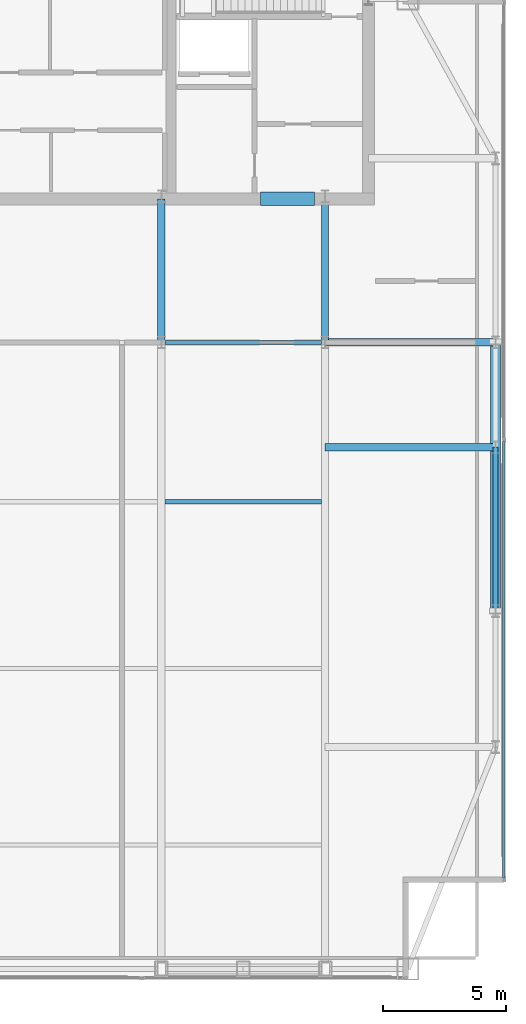
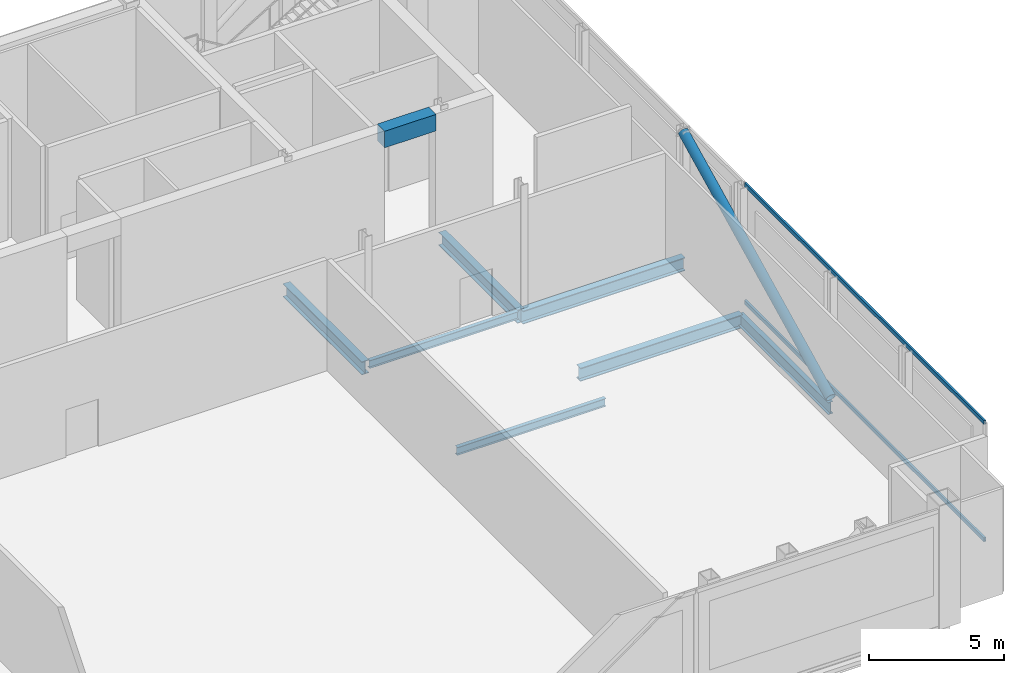
# One storey, part 13 of 22: 8 beams, 3 members, 1 element without a shape of its own.
"""IFC4 building model written with IfcOpenShell, lengths in metres."""

import ifcopenshell
import ifcopenshell.guid

model = None  # the IFC model being written
_history = None  # IfcOwnerHistory: only IFC2X3 demands one
_inside = {}  # id of a spatial element -> (the spatial element, [elements in it])
_under = {}  # id of a project, library or spatial element -> (it, [spatial elements below it])
_declared = {}  # id of a project -> (the project, [libraries it declares])
_typed = {}  # id of a type object -> (the type object, [elements of that type])
_made_of = {}  # id of a material, layer set ... -> (it, [elements and type objects made of it])


def new_model(schema):
    """Start an empty IFC model of exactly this schema.

    Asked for "IFC4X3", IfcOpenShell would pick the latest addendum, in which some entities
    have other attributes; the version numbers below select the first issue.
    IFC2X3 requires an IfcOwnerHistory on every rooted entity: one is made here for all.
    """
    global model, _history
    if schema == "IFC4X3":
        model = ifcopenshell.file(schema_version=(4, 3, 0, 0))
    else:
        model = ifcopenshell.file(schema=schema)
    _inside.clear()
    _under.clear()
    _declared.clear()
    _typed.clear()
    _made_of.clear()
    _history = None
    if model.schema == "IFC2X3":
        org = make("IfcOrganization", Name="unknown")
        user = make(
            "IfcPersonAndOrganization",
            ThePerson=make("IfcPerson", FamilyName="unknown"),
            TheOrganization=org,
        )
        app = make(
            "IfcApplication",
            ApplicationDeveloper=org,
            Version="unknown",
            ApplicationFullName="unknown",
            ApplicationIdentifier="unknown",
        )
        _history = make(
            "IfcOwnerHistory",
            OwningUser=user,
            OwningApplication=app,
            ChangeAction="ADDED",
            CreationDate=0,
        )
    return model


def make(cls, **values):
    """One entity of the class cls with the attributes given. An attribute that is None is left unset."""
    return model.create_entity(
        cls, **{name: value for name, value in values.items() if value is not None}
    )


def rooted(cls, **values):
    """An entity with a GlobalId (a new one), such as an element, a storey or a relation."""
    return make(cls, GlobalId=ifcopenshell.guid.new(), OwnerHistory=_history, **values)


def si_unit(unit_type, name, prefix=None):
    """IfcSIUnit, for example si_unit("LENGTHUNIT", "METRE", prefix="MILLI")."""
    return make("IfcSIUnit", UnitType=unit_type, Prefix=prefix, Name=name)


def assignment(units):
    """IfcUnitAssignment: the units of a project."""
    return None if units is None else make("IfcUnitAssignment", Units=units)


def point(xyz):
    """IfcCartesianPoint."""
    return None if xyz is None else make("IfcCartesianPoint", Coordinates=xyz)


def direction(xyz):
    """IfcDirection."""
    return None if xyz is None else make("IfcDirection", DirectionRatios=xyz)


def frame(location, z_axis=None, x_axis=None):
    """IfcAxis2Placement3D, a coordinate frame: its origin and axes. An axis left out is left unset."""
    return make(
        "IfcAxis2Placement3D",
        Location=point(location),
        Axis=direction(z_axis),
        RefDirection=direction(x_axis),
    )


def frame_2d(location, x_axis=None):
    """IfcAxis2Placement2D, a coordinate frame in the plane: its origin and x axis."""
    return make(
        "IfcAxis2Placement2D", Location=point(location), RefDirection=direction(x_axis)
    )


def origin():
    """The frame at (0, 0, 0) with its axes left unset."""
    return frame((0.0, 0.0, 0.0))


def origin_2d():
    """The frame at (0, 0) in the plane with its x axis left unset."""
    return frame_2d((0.0, 0.0))


def place(relative_to, where):
    """IfcLocalPlacement: puts the frame where relative to a parent placement (None: the world)."""
    return make(
        "IfcLocalPlacement", PlacementRelTo=relative_to, RelativePlacement=where
    )


def context(
    kind, dimensions, precision=None, world=None, true_north=None, identifier=None
):
    """IfcGeometricRepresentationContext, for example the 3D "Model" context."""
    return make(
        "IfcGeometricRepresentationContext",
        ContextIdentifier=identifier,
        ContextType=kind,
        CoordinateSpaceDimension=dimensions,
        Precision=precision,
        WorldCoordinateSystem=world,
        TrueNorth=true_north,
    )


def subcontext(parent, identifier, kind, view, scale=None):
    """IfcGeometricRepresentationSubContext, for example "Body" below "Model"."""
    return make(
        "IfcGeometricRepresentationSubContext",
        ContextIdentifier=identifier,
        ContextType=kind,
        ParentContext=parent,
        TargetScale=scale,
        TargetView=view,
    )


def project(units=None, contexts=None):
    """IfcProject with its units and contexts."""
    return rooted(
        "IfcProject",
        Name="project",
        RepresentationContexts=contexts,
        UnitsInContext=assignment(units),
    )


def spatial(cls, under=None, at=None, **own):
    """A site, building, storey or space (cls), placed at a placement, below another one or the project."""
    s = rooted(cls, ObjectPlacement=at, **own)
    if under is not None:
        _under.setdefault(under.id(), (under, []))[1].append(s)
    return s


def profile(cls, at=None, kind="AREA", **sizes):
    """A parametric profile (cls). Its sizes go by their IFC names, for example OverallWidth=200.0."""
    return make(cls, ProfileType=kind, Position=at, **sizes)


def rectangle(**sizes):
    """IfcRectangleProfileDef."""
    return profile("IfcRectangleProfileDef", **sizes)


def hollow_rectangle(**sizes):
    """IfcRectangleHollowProfileDef."""
    return profile("IfcRectangleHollowProfileDef", **sizes)


def hollow_circle(**sizes):
    """IfcCircleHollowProfileDef."""
    return profile("IfcCircleHollowProfileDef", **sizes)


def i_section(**sizes):
    """IfcIShapeProfileDef."""
    return profile("IfcIShapeProfileDef", **sizes)


def extrude(swept, where, along, depth):
    """IfcExtrudedAreaSolid: the profile swept, set in the frame where, extruded along a direction by depth."""
    return make(
        "IfcExtrudedAreaSolid",
        SweptArea=swept,
        Position=where,
        ExtrudedDirection=direction(along),
        Depth=depth,
    )


def shape(context_of_items, identifier, shape_type, items):
    """IfcShapeRepresentation: the items that make up one representation, for example the "Body"."""
    return make(
        "IfcShapeRepresentation",
        ContextOfItems=context_of_items,
        RepresentationIdentifier=identifier,
        RepresentationType=shape_type,
        Items=items,
    )


def material(Name=None, Category=None):
    """IfcMaterial."""
    return make("IfcMaterial", Name=Name, Category=Category)


def material_profile(
    of_material, cross_section, Name=None, Category=None, Priority=None
):
    """IfcMaterialProfile: a cross section and its material."""
    return make(
        "IfcMaterialProfile",
        Name=Name,
        Material=of_material,
        Profile=cross_section,
        Priority=Priority,
        Category=Category,
    )


def profile_set(profiles, Name=None, composite=None):
    """IfcMaterialProfileSet."""
    return make(
        "IfcMaterialProfileSet",
        Name=Name,
        MaterialProfiles=profiles,
        CompositeProfile=composite,
    )


def made_of(thing, what):
    """Note that an element or type object is made of a material, layer set ...; save() writes the relation."""
    if what is not None:
        _made_of.setdefault(what.id(), (what, []))[1].append(thing)
    return thing


def type_object(cls, material=None, **own):
    """A type object (cls), such as IfcWallType, which elements share."""
    return made_of(rooted(cls, **own), material)


def element(
    cls,
    number,
    at=None,
    inside=None,
    cuts=None,
    type_object=None,
    material=None,
    context=None,
    identifier="Body",
    shape_type=None,
    held_by="IfcProductDefinitionShape",
    body=None,
    shapes=None,
    **own,
):
    """One element of the class cls, such as IfcWall. Its Tag is "e" and its number.

    at: its placement. inside: the storey or other place that contains it. cuts: it is an
    opening in that element (IfcRelVoidsElement). A single representation is given by context,
    identifier, shape_type and body (its items); several are given by shapes. held_by: the class
    of the entity that holds the representations. save() writes the other relations.
    """
    e = rooted(cls, Tag="e%d" % number, ObjectPlacement=at, **own)
    if body is not None:
        shapes = [shape(context, identifier, shape_type, body)]
    if shapes is not None:
        e.Representation = make(held_by, Representations=shapes)
    if inside is not None:
        _inside.setdefault(inside.id(), (inside, []))[1].append(e)
    if cuts is not None:
        rooted(
            "IfcRelVoidsElement", RelatingBuildingElement=cuts, RelatedOpeningElement=e
        )
    if type_object is not None:
        _typed.setdefault(type_object.id(), (type_object, []))[1].append(e)
    return made_of(e, material)


def aggregate(whole, parts):
    """IfcRelAggregates: a whole, such as a stair, and the parts it consists of."""
    return rooted("IfcRelAggregates", RelatingObject=whole, RelatedObjects=parts)


def save(model, path):
    """Write the relations noted so far, then the file.

    IfcRelAggregates (storeys below a building ...), IfcRelContainedInSpatialStructure (elements
    in a storey), IfcRelDefinesByType, IfcRelAssociatesMaterial and IfcRelDeclares: one each for
    every whole, place, type object, material and project.
    """
    for whole, parts in _under.values():
        aggregate(whole, parts)
    for where, things in _inside.values():
        rooted(
            "IfcRelContainedInSpatialStructure",
            RelatedElements=things,
            RelatingStructure=where,
        )
    for kind, things in _typed.values():
        rooted("IfcRelDefinesByType", RelatedObjects=things, RelatingType=kind)
    for what, things in _made_of.values():
        rooted("IfcRelAssociatesMaterial", RelatedObjects=things, RelatingMaterial=what)
    for by, libraries in _declared.values():
        rooted("IfcRelDeclares", RelatingContext=by, RelatedDefinitions=libraries)
    model.write(path)


model = new_model("IFC4")

# Units and contexts
model_context = context("Model", 3, precision=1e-05, world=origin(), true_north=direction((0.0, 1.0)))
body_context = subcontext(model_context, "Body", "Model", "MODEL_VIEW")
ifc_project = project(units=[si_unit("LENGTHUNIT", "METRE"), si_unit("AREAUNIT", "SQUARE_METRE"), si_unit("VOLUMEUNIT", "CUBIC_METRE"), si_unit("PLANEANGLEUNIT", "RADIAN"), si_unit("MASSUNIT", "GRAM", prefix="KILO")], contexts=[model_context])

# Site, building, storey
site_placement = place(None, origin())
site = spatial("IfcSite", under=ifc_project, at=site_placement, CompositionType="ELEMENT")
building_placement = place(site_placement, origin())
building = spatial("IfcBuilding", under=site, at=building_placement, Name="Khoronbel Lancet Exchange", CompositionType="ELEMENT")
storey_placement = place(building_placement, frame((0.0, 0.0, 361.800048828125)))
storey = spatial("IfcBuildingStorey", under=building, at=storey_placement, Name="L93", CompositionType="ELEMENT", Elevation=361.800048828125)

# Beams
ifc_material_1 = material(Name="Steel S355", Category="steel")
ifc_material_profile_1 = material_profile(ifc_material_1, i_section(OverallWidth=0.300048828125, OverallDepth=0.60009765625, WebThickness=0.015380859375, FlangeThickness=0.030029296875, at=origin_2d()), Name="HEB 600")
ifc_profile_set_1 = profile_set([ifc_material_profile_1], Name="Steel S355")
beam_type_1 = type_object("IfcBeamType", Name="BM-BG5", PredefinedType="BEAM", material=ifc_profile_set_1)
for number, where, z_axis, x_axis, name in (
    (1, (48.0, 35.699951171875, -0.5), (0.0, 1.0, 0.0), (-1.0, 0.0, 0.0), "Level L93 spine tie girder GN5"),
    (2, (54.675048828125, 35.699951171875, -0.5), (0.0, 1.0, 0.0), (-1.0, 0.0, 0.0), "Level L93 spine tie girder GN6"),
):
    element("IfcBeam", number, at=place(storey_placement, frame(where, z_axis=z_axis, x_axis=x_axis)), inside=storey, type_object=beam_type_1, Name=name, PredefinedType="BEAM", context=body_context, shape_type="SweptSolid", body=[
        extrude(i_section(OverallWidth=0.300048828125, OverallDepth=0.60009765625, WebThickness=0.015380859375, FlangeThickness=0.030029296875, at=origin_2d()), origin(), (0.0, 0.0, 1.0), 5.85009765625),
    ])
for number, where, z_axis, x_axis, name in (
    (3, (54.675048828125, 31.425048828125, -0.5), (1.0, 0.0, 0.0), (0.0, 1.0, 0.0), "Level L93 east lens tie girder LG2E"),
    (4, (54.675048828125, 35.699951171875, -0.5), (1.0, 0.0, 0.0), (0.0, 1.0, 0.0), "Level L93 east lens tie girder LG4E"),
):
    element("IfcBeam", number, at=place(storey_placement, frame(where, z_axis=z_axis, x_axis=x_axis)), inside=storey, type_object=beam_type_1, Name=name, PredefinedType="BEAM", context=body_context, shape_type="SweptSolid", body=[
        extrude(i_section(OverallWidth=0.300048828125, OverallDepth=0.60009765625, WebThickness=0.015380859375, FlangeThickness=0.030029296875, at=origin_2d()), origin(), (0.0, 0.0, 1.0), 6.954833984375),
    ])
ifc_material_profile_2 = material_profile(ifc_material_1, i_section(OverallWidth=0.169921875, OverallDepth=0.360107421875, WebThickness=0.008056640625, FlangeThickness=0.0126953125, at=origin_2d()), Name="IPE 360")
ifc_profile_set_2 = profile_set([ifc_material_profile_2], Name="Steel S355")
beam_type_2 = type_object("IfcBeamType", Name="BM-BJ6", PredefinedType="JOIST", material=ifc_profile_set_2)
for number, where, z_axis, x_axis, name in (
    (5, (48.14990234375, 29.199951171875, -0.380126953125), (1.0, 0.0, 0.0), (0.0, 1.0, 0.0), "Level L93 secondary composite joist J09"),
    (6, (48.14990234375, 35.699951171875, -0.380126953125), (1.0, 0.0, 0.0), (0.0, 1.0, 0.0), "Level L93 secondary composite joist J12"),
):
    element("IfcBeam", number, at=place(storey_placement, frame(where, z_axis=z_axis, x_axis=x_axis)), inside=storey, type_object=beam_type_2, Name=name, PredefinedType="JOIST", context=body_context, shape_type="SweptSolid", body=[
        extrude(i_section(OverallWidth=0.169921875, OverallDepth=0.360107421875, WebThickness=0.008056640625, FlangeThickness=0.0126953125, at=origin_2d()), origin(), (0.0, 0.0, 1.0), 6.375),
    ])
ifc_material_2 = material(Name="Concrete C60/75", Category="concrete")
ifc_material_profile_3 = material_profile(ifc_material_2, rectangle(XDim=0.550048828125, YDim=0.75, at=origin_2d()), Name="RC 550x750")
ifc_profile_set_3 = profile_set([ifc_material_profile_3], Name="Concrete C60/75")
beam_type_3 = type_object("IfcBeamType", Name="BM-BL2", PredefinedType="LINTEL", material=ifc_profile_set_3)
beam_1_placement = place(storey_placement, frame((52.050048828125, 41.550048828125, 5.02490234375), z_axis=(1.0, 0.0, 0.0), x_axis=(0.0, 1.0, 0.0)))
element("IfcBeam", 7, at=beam_1_placement, inside=storey, type_object=beam_type_3, Name="Level L93 rear core coupling lintel L4", PredefinedType="LINTEL", context=body_context, shape_type="SweptSolid", body=[
    extrude(rectangle(XDim=0.550048828125, YDim=0.75, at=origin_2d()), origin(), (0.0, 0.0, 1.0), 2.199951171875),
])
ifc_material_profile_4 = material_profile(ifc_material_1, i_section(OverallWidth=0.2099609375, OverallDepth=0.550048828125, WebThickness=0.010986328125, FlangeThickness=0.01708984375, at=origin_2d()), Name="IPE 550")
ifc_profile_set_4 = profile_set([ifc_material_profile_4], Name="Steel S355")
beam_type_4 = type_object("IfcBeamType", Name="BM-BSP3", PredefinedType="SPANDREL", material=ifc_profile_set_4)
beam_2_placement = place(storey_placement, frame((61.6298828125, 24.75, -0.47509765625), z_axis=(0.0, 1.0, 0.0), x_axis=(-1.0, 0.0, 0.0)))
element("IfcBeam", 8, at=beam_2_placement, inside=storey, type_object=beam_type_4, Name="Level L93 perimeter spandrel beam SP10", PredefinedType="SPANDREL", context=body_context, shape_type="SweptSolid", body=[
    extrude(i_section(OverallWidth=0.2099609375, OverallDepth=0.550048828125, WebThickness=0.010986328125, FlangeThickness=0.01708984375, at=origin_2d()), origin(), (0.0, 0.0, 1.0), 6.675048828125),
])

# Curtain wall, members
ifc_material_3 = material(Name="Low-E Solar Control Insulating Glass", Category="glass")
curtain_wall_type = type_object("IfcCurtainWallType", Name="CW-6", PredefinedType="NOTDEFINED", material=ifc_material_3)
curtain_wall_placement = place(storey_placement, origin())
curtain_wall = element("IfcCurtainWall", 9, at=curtain_wall_placement, inside=storey, type_object=curtain_wall_type, Name="Unitised curtain wall CW-L93-E09", PredefinedType="NOTDEFINED")
ifc_material_4 = material(Name="Bronze-Anodised Aluminium 6063-T6", Category="aluminium")
ifc_material_profile_5 = material_profile(ifc_material_4, hollow_rectangle(XDim=0.0849609375, YDim=0.179931640625, WallThickness=0.0048828125, at=origin_2d()), Name="ALU TRANSOM 85x180")
ifc_profile_set_5 = profile_set([ifc_material_profile_5], Name="Bronze-Anodised Aluminium 6063-T6")
member_type_1 = type_object("IfcMemberType", Name="MEM-CWT1", PredefinedType="USERDEFINED", material=ifc_profile_set_5)
member_1_placement = place(storey_placement, frame((61.9599609375, 31.66259765625, 0.04248046875), z_axis=(0.0, -1.0, 0.0), x_axis=(1.0, 0.0, 0.0)))
member_1 = element("IfcMember", 10, at=member_1_placement, type_object=member_type_1, Name="CW6 transom 2.1", ObjectType="TRANSOM", PredefinedType="USERDEFINED", context=body_context, shape_type="SweptSolid", body=[
    extrude(hollow_rectangle(XDim=0.0849609375, YDim=0.179931640625, WallThickness=0.0048828125, at=origin_2d()), origin(), (0.0, 0.0, 1.0), 17.797607421875),
])
member_2_placement = place(storey_placement, frame((61.9599609375, 31.66259765625, 5.357421875), z_axis=(0.0, -1.0, 0.0), x_axis=(1.0, 0.0, 0.0)))
member_2 = element("IfcMember", 11, at=member_2_placement, type_object=member_type_1, Name="CW6 transom 2.2", ObjectType="TRANSOM", PredefinedType="USERDEFINED", context=body_context, shape_type="SweptSolid", body=[
    extrude(hollow_rectangle(XDim=0.0849609375, YDim=0.179931640625, WallThickness=0.0048828125, at=origin_2d()), origin(), (0.0, 0.0, 1.0), 17.797607421875),
])
aggregate(curtain_wall, [member_1, member_2])

# Member
ifc_material_profile_6 = material_profile(ifc_material_1, hollow_circle(Radius=0.203125, WallThickness=0.02001953125, at=origin_2d()), Name="CHS 406.4x20")
ifc_profile_set_6 = profile_set([ifc_material_profile_6], Name="Steel S355")
member_type_2 = type_object("IfcMemberType", Name="MEM-STR2", PredefinedType="STRUT", material=ifc_profile_set_6)
member_3_placement = place(storey_placement, frame((61.6298828125, 24.75, 0.0), z_axis=(0.0, 0.8962223226, 0.443605171829), x_axis=(-1.0, 0.0, 0.0)))
element("IfcMember", 12, at=member_3_placement, inside=storey, type_object=member_type_2, Name="CROWN FRAME diagonal ring brace L93-E1", PredefinedType="STRUT", context=body_context, shape_type="SweptSolid", body=[
    extrude(hollow_circle(Radius=0.203125, WallThickness=0.02001953125, at=origin_2d()), origin(), (0.0, 0.0, 1.0), 12.218017578125),
])

save(model, "model.ifc")
